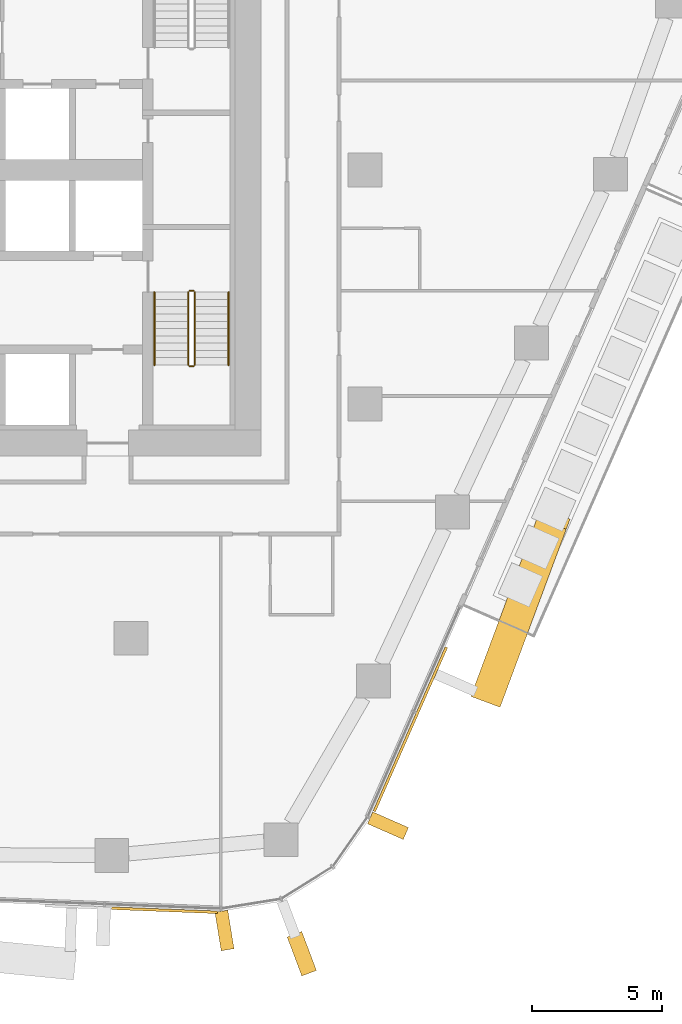
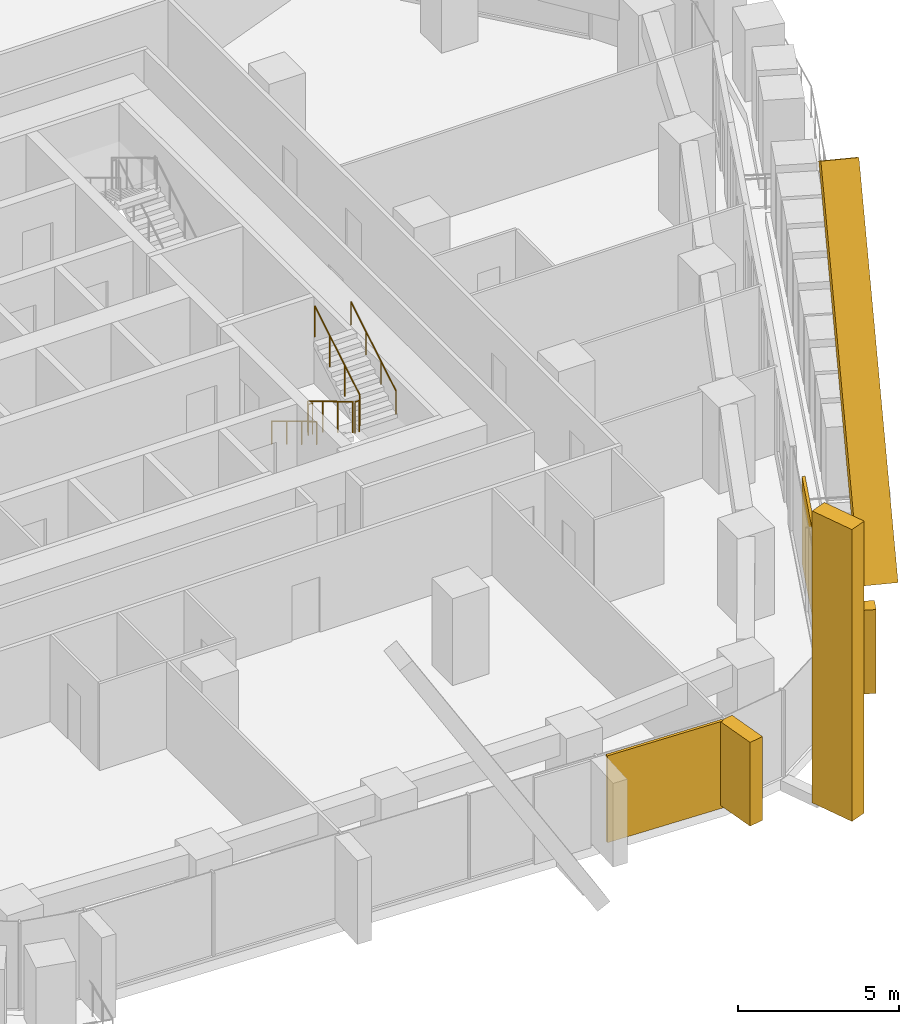
# One storey, part 20 of 24: 6 coverings, 6 railings, 3 elements without a shape of their own.
"""IFC4 building model written with IfcOpenShell, lengths in metres."""

from ifc_helpers import new_model, si_unit, direction, frame, origin, origin_2d, place, context, subcontext, project, spatial, rectangle, circle, extrude, material, layer, layer_set, material_profile, profile_set, type_object, element, aggregate, save


model = new_model("IFC4")

# Units and contexts
model_context = context("Model", 3, precision=1e-05, world=origin(), true_north=direction((0.0, 1.0)))
body_context = subcontext(model_context, "Body", "Model", "MODEL_VIEW")
ifc_project = project(units=[si_unit("LENGTHUNIT", "METRE"), si_unit("AREAUNIT", "SQUARE_METRE"), si_unit("VOLUMEUNIT", "CUBIC_METRE"), si_unit("PLANEANGLEUNIT", "RADIAN"), si_unit("MASSUNIT", "GRAM", prefix="KILO")], contexts=[model_context])

# Site, building, storey
site_placement = place(None, origin())
site = spatial("IfcSite", under=ifc_project, at=site_placement, CompositionType="ELEMENT")
building_placement = place(site_placement, origin())
building = spatial("IfcBuilding", under=site, at=building_placement, Name="Dongbaek Canopy Tower", CompositionType="ELEMENT")
storey_placement = place(building_placement, frame((0.0, 0.0, 128.5)))
storey = spatial("IfcBuildingStorey", under=building, at=storey_placement, Name="L28", CompositionType="ELEMENT", Elevation=128.5)

# Curtain wall, covering
ifc_material_1 = material(Name="Aluminium 6063-T6 pale anodised", Category="aluminium")
ifc_layer_1 = layer(ifc_material_1, 0.199951171875)
ifc_layer_set_1 = layer_set([ifc_layer_1], Name="CW-1 unitised tower curtain wall")
curtain_wall_type = type_object("IfcCurtainWallType", Name="CW-1 unitised tower curtain wall", PredefinedType="NOTDEFINED", material=ifc_layer_set_1)
curtain_wall_1_placement = place(storey_placement, origin())
curtain_wall_1 = element("IfcCurtainWall", 1, at=curtain_wall_1_placement, inside=storey, type_object=curtain_wall_type, Name="CW-1 curtain wall K5.1", PredefinedType="NOTDEFINED")
ifc_material_2 = material(Name="Aluminium 6063-T6 pale metal fin", Category="aluminium")
ifc_material_profile_1 = material_profile(ifc_material_2, rectangle(XDim=1.60009765625, YDim=0.60009765625, at=origin_2d()), Name="Corner fin CN1 600 x 1600 pale metal")
ifc_profile_set_1 = profile_set([ifc_material_profile_1], Name="Aluminium 6063-T6 pale metal fin")
covering_type_1 = type_object("IfcCoveringType", Name="Corner fin CN1 600 x 1600 pale metal", PredefinedType="CLADDING", material=ifc_profile_set_1)
covering_1_placement = place(storey_placement, frame((15.564208984375, -30.130615234375, -0.199951171875), z_axis=(0.0, 0.0, 1.0), x_axis=(0.352183074996, -0.935931130846, 0.0)))
covering_1 = element("IfcCovering", 2, at=covering_1_placement, type_object=covering_type_1, Name="Corner fin L28 L30 K5", PredefinedType="CLADDING", context=body_context, shape_type="SweptSolid", body=[
    extrude(rectangle(XDim=1.60009765625, YDim=0.60009765625, at=origin_2d()), origin(), (0.0, 0.0, 1.0), 11.079833984375),
])

curtain_wall_2_placement = place(storey_placement, origin())
curtain_wall_2 = element("IfcCurtainWall", 3, at=curtain_wall_2_placement, inside=storey, type_object=curtain_wall_type, Name="CW-1 curtain wall F5.1", PredefinedType="NOTDEFINED")
ifc_material_3 = material(Name="Aluminium 6063-T6 pale metal fin", Category="aluminium")
ifc_material_profile_2 = material_profile(ifc_material_3, rectangle(XDim=1.199951171875, YDim=0.5, at=origin_2d()), Name="Crease fin CF1 500 x 1200 pale metal")
ifc_profile_set_2 = profile_set([ifc_material_profile_2], Name="Aluminium 6063-T6 pale metal fin")
covering_type_2 = type_object("IfcCoveringType", Name="Crease fin CF1 500 x 1200 pale metal", PredefinedType="CLADDING", material=ifc_profile_set_2)
covering_2_placement = place(storey_placement, frame((22.6962890625, -20.2509765625, -0.199951171875), z_axis=(0.191491479187, 0.515005490666, 0.835524002039), x_axis=(-0.937304193827, 0.348512335843, 0.0)))
covering_2 = element("IfcCovering", 4, at=covering_2_placement, type_object=covering_type_2, Name="Crease fin L28 L31 F5", PredefinedType="CLADDING", context=body_context, shape_type="SweptSolid", body=[
    extrude(rectangle(XDim=1.199951171875, YDim=0.5, at=origin_2d()), origin(), (0.0, 0.0, 1.0), 13.284912109375),
])

curtain_wall_3_placement = place(storey_placement, origin())
curtain_wall_3 = element("IfcCurtainWall", 5, at=curtain_wall_3_placement, inside=storey, type_object=curtain_wall_type, Name="CW-1 curtain wall F4.1", PredefinedType="NOTDEFINED")
ifc_material_4 = material(Name="Perforated aluminium 6063-T6 pale metal screen", Category="aluminium")
ifc_layer_2 = layer(ifc_material_4, 0.10009765625)
ifc_layer_set_2 = layer_set([ifc_layer_2], Name="Facet screen FS1 100 pale metal")
covering_type_3 = type_object("IfcCoveringType", Name="Facet screen FS1 100 pale metal", PredefinedType="CLADDING", material=ifc_layer_set_2)
covering_3_placement = place(storey_placement, frame((10.29345703125, -28.46044921875, 0.0), z_axis=(0.0, 0.0, 1.0), x_axis=(0.999255258703, -0.038586629205, 0.0)))
covering_3 = element("IfcCovering", 6, at=covering_3_placement, type_object=covering_type_3, Name="Facet screen L28 F4", PredefinedType="CLADDING", context=body_context, shape_type="SweptSolid", body=[
    extrude(rectangle(XDim=4.073974609375, YDim=0.10009765625, at=origin_2d()), origin(), (0.0, 0.0, 1.0), 3.300048828125),
])
aggregate(curtain_wall_3, [covering_3])

# Covering
covering_4_placement = place(storey_placement, frame((19.735595703125, -21.505126953125, 0.0), z_axis=(0.0, 0.0, 1.0), x_axis=(0.402176297112, 0.915562245858, 0.0)))
covering_4 = element("IfcCovering", 7, at=covering_4_placement, type_object=covering_type_3, Name="Facet screen L28 F5", PredefinedType="CLADDING", context=body_context, shape_type="SweptSolid", body=[
    extrude(rectangle(XDim=6.890380859375, YDim=0.10009765625, at=origin_2d()), origin(), (0.0, 0.0, 1.0), 3.300048828125),
])

ifc_material_5 = material(Name="Aluminium 6063-T6 pale metal fin", Category="aluminium")
ifc_material_profile_3 = material_profile(ifc_material_5, rectangle(XDim=1.5, YDim=0.5, at=origin_2d()), Name="Fin FN1 500 x 1500 pale metal")
ifc_profile_set_3 = profile_set([ifc_material_profile_3], Name="Aluminium 6063-T6 pale metal fin")
covering_type_4 = type_object("IfcCoveringType", Name="Fin FN1 500 x 1500 pale metal", PredefinedType="CLADDING", material=ifc_profile_set_3)
covering_5_placement = place(storey_placement, frame((12.59228515625, -29.237060546875, 0.1201171875), z_axis=(0.0, 0.0, 1.0), x_axis=(0.159963145489, -0.987122987315, 0.0)))
covering_5 = element("IfcCovering", 8, at=covering_5_placement, type_object=covering_type_4, Name="Fin K5.1.1", PredefinedType="CLADDING", context=body_context, shape_type="SweptSolid", body=[
    extrude(rectangle(XDim=1.5, YDim=0.5, at=origin_2d()), origin(), (0.0, 0.0, 1.0), 3.179931640625),
])

aggregate(curtain_wall_1, [covering_5, covering_1])

covering_6_placement = place(storey_placement, frame((18.8779296875, -25.208251953125, 0.1201171875), z_axis=(0.0, 0.0, 1.0), x_axis=(0.915562348389, -0.402176063698, 0.0)))
covering_6 = element("IfcCovering", 9, at=covering_6_placement, type_object=covering_type_4, Name="Fin F5.1.1", PredefinedType="CLADDING", context=body_context, shape_type="SweptSolid", body=[
    extrude(rectangle(XDim=1.5, YDim=0.5, at=origin_2d()), origin(), (0.0, 0.0, 1.0), 3.179931640625),
])

aggregate(curtain_wall_2, [covering_6, covering_2, covering_4])

# Railings
ifc_material_6 = material(Name="Stainless steel tube and balusters", Category="steel")
railing_type_1 = type_object("IfcRailingType", Name="Stair guard 1200", PredefinedType="GUARDRAIL", material=ifc_material_6)
railing_1_placement = place(storey_placement, frame((11.199951171875, -4.699951171875, 0.168212890625)))
element("IfcRailing", 10, at=railing_1_placement, inside=storey, type_object=railing_type_1, Name="L28 ST-B stair guard 1", PredefinedType="GUARDRAIL", context=body_context, shape_type="SweptSolid", body=[
    extrude(circle(Radius=0.02392578125, at=origin_2d()), frame((0.0, 0.0, 1.17578125), z_axis=(0.0, -0.857242210791, 0.514913383045), x_axis=(1.0, 0.0, 0.0)), (0.0, 0.0, 1.0), 3.266357421875),
    extrude(circle(Radius=0.02099609375, at=origin_2d()), origin(), (0.0, 0.0, 1.0), 1.15185546875),
    extrude(circle(Radius=0.02099609375, at=origin_2d()), frame((0.0, -0.933349609375, 0.560546875)), (0.0, 0.0, 1.0), 1.15185546875),
    extrude(circle(Radius=0.02099609375, at=origin_2d()), frame((0.0, -1.86669921875, 1.121337890625)), (0.0, 0.0, 1.0), 1.15185546875),
    extrude(circle(Radius=0.02099609375, at=origin_2d()), frame((0.0, -2.800048828125, 1.681884765625)), (0.0, 0.0, 1.0), 1.15185546875),
])
railing_2_placement = place(storey_placement, frame((11.25, -7.550048828125, 1.85009765625)))
element("IfcRailing", 11, at=railing_2_placement, inside=storey, type_object=railing_type_1, Name="L28 ST-B stair guard 2", PredefinedType="GUARDRAIL", context=body_context, shape_type="SweptSolid", body=[
    extrude(circle(Radius=0.02392578125, at=origin_2d()), frame((0.0, 0.0, 1.17578125), z_axis=(1.0, 0.0, 0.0), x_axis=(0.0, 1.0, 0.0)), (0.0, 0.0, 1.0), 0.14990234375),
    extrude(circle(Radius=0.02099609375, at=origin_2d()), origin(), (0.0, 0.0, 1.0), 1.15185546875),
    extrude(circle(Radius=0.02099609375, at=origin_2d()), frame((0.14990234375, 0.0, 0.0)), (0.0, 0.0, 1.0), 1.15185546875),
])
railing_3_placement = place(storey_placement, frame((11.449951171875, -7.5, 2.01806640625)))
element("IfcRailing", 12, at=railing_3_placement, inside=storey, type_object=railing_type_1, Name="L28 ST-B stair guard 3", PredefinedType="GUARDRAIL", context=body_context, shape_type="SweptSolid", body=[
    extrude(circle(Radius=0.02392578125, at=origin_2d()), frame((0.0, 0.0, 1.17578125), z_axis=(0.0, 0.857242210791, 0.514913383045), x_axis=(-1.0, 0.0, 0.0)), (0.0, 0.0, 1.0), 3.266357421875),
    extrude(circle(Radius=0.02099609375, at=origin_2d()), origin(), (0.0, 0.0, 1.0), 1.15185546875),
    extrude(circle(Radius=0.02099609375, at=origin_2d()), frame((0.0, 0.933349609375, 0.560546875)), (0.0, 0.0, 1.0), 1.15185546875),
    extrude(circle(Radius=0.02099609375, at=origin_2d()), frame((0.0, 1.86669921875, 1.121337890625)), (0.0, 0.0, 1.0), 1.15185546875),
    extrude(circle(Radius=0.02099609375, at=origin_2d()), frame((0.0, 2.800048828125, 1.681884765625)), (0.0, 0.0, 1.0), 1.15185546875),
])
railing_4_placement = place(storey_placement, frame((11.25, -4.64990234375, 0.0)))
element("IfcRailing", 13, at=railing_4_placement, inside=storey, type_object=railing_type_1, Name="L28 ST-B stair guard 4", PredefinedType="GUARDRAIL", context=body_context, shape_type="SweptSolid", body=[
    extrude(circle(Radius=0.02392578125, at=origin_2d()), frame((0.0, 0.0, 1.17578125), z_axis=(1.0, 0.0, 0.0), x_axis=(0.0, 1.0, 0.0)), (0.0, 0.0, 1.0), 0.14990234375),
    extrude(circle(Radius=0.02099609375, at=origin_2d()), origin(), (0.0, 0.0, 1.0), 1.15185546875),
    extrude(circle(Radius=0.02099609375, at=origin_2d()), frame((0.14990234375, 0.0, 0.0)), (0.0, 0.0, 1.0), 1.15185546875),
])
ifc_material_7 = material(Name="Stainless steel tube", Category="steel")
railing_type_2 = type_object("IfcRailingType", Name="Stair handrail 900", PredefinedType="HANDRAIL", material=ifc_material_7)
railing_5_placement = place(storey_placement, frame((9.89990234375, -4.699951171875, 0.168212890625)))
element("IfcRailing", 14, at=railing_5_placement, inside=storey, type_object=railing_type_2, Name="L28 ST-B stair handrail 1", PredefinedType="HANDRAIL", context=body_context, shape_type="SweptSolid", body=[
    extrude(circle(Radius=0.02392578125, at=origin_2d()), frame((0.0, 0.0, 0.8759765625), z_axis=(0.0, -0.857242210791, 0.514913383045), x_axis=(1.0, 0.0, 0.0)), (0.0, 0.0, 1.0), 3.266357421875),
    extrude(circle(Radius=0.02099609375, at=origin_2d()), origin(), (0.0, 0.0, 1.0), 0.851806640625),
    extrude(circle(Radius=0.02099609375, at=origin_2d()), frame((0.0, -0.933349609375, 0.560546875)), (0.0, 0.0, 1.0), 0.851806640625),
    extrude(circle(Radius=0.02099609375, at=origin_2d()), frame((0.0, -1.86669921875, 1.121337890625)), (0.0, 0.0, 1.0), 0.851806640625),
    extrude(circle(Radius=0.02099609375, at=origin_2d()), frame((0.0, -2.800048828125, 1.681884765625)), (0.0, 0.0, 1.0), 0.851806640625),
])
railing_6_placement = place(storey_placement, frame((12.75, -7.5, 2.01806640625)))
element("IfcRailing", 15, at=railing_6_placement, inside=storey, type_object=railing_type_2, Name="L28 ST-B stair handrail 2", PredefinedType="HANDRAIL", context=body_context, shape_type="SweptSolid", body=[
    extrude(circle(Radius=0.02392578125, at=origin_2d()), frame((0.0, 0.0, 0.8759765625), z_axis=(0.0, 0.857242210791, 0.514913383045), x_axis=(-1.0, 0.0, 0.0)), (0.0, 0.0, 1.0), 3.266357421875),
    extrude(circle(Radius=0.02099609375, at=origin_2d()), origin(), (0.0, 0.0, 1.0), 0.851806640625),
    extrude(circle(Radius=0.02099609375, at=origin_2d()), frame((0.0, 0.933349609375, 0.560546875)), (0.0, 0.0, 1.0), 0.851806640625),
    extrude(circle(Radius=0.02099609375, at=origin_2d()), frame((0.0, 1.86669921875, 1.121337890625)), (0.0, 0.0, 1.0), 0.851806640625),
    extrude(circle(Radius=0.02099609375, at=origin_2d()), frame((0.0, 2.800048828125, 1.681884765625)), (0.0, 0.0, 1.0), 0.851806640625),
])

save(model, "model.ifc")
